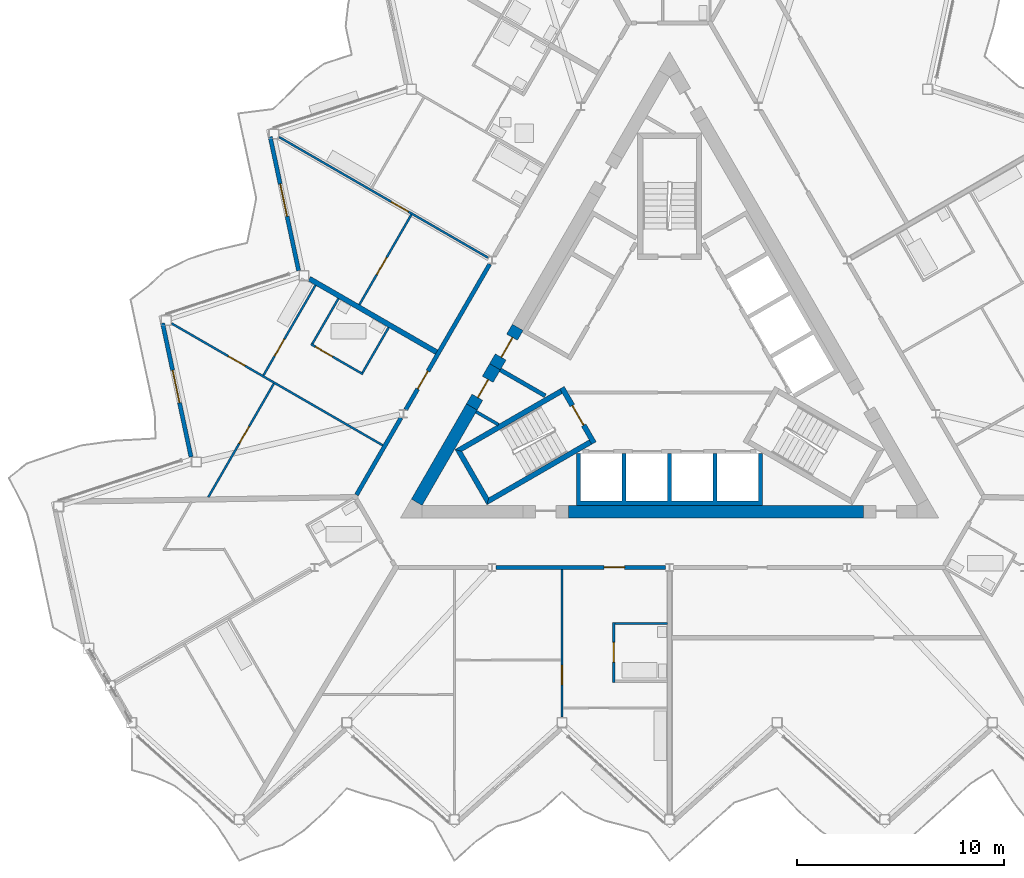
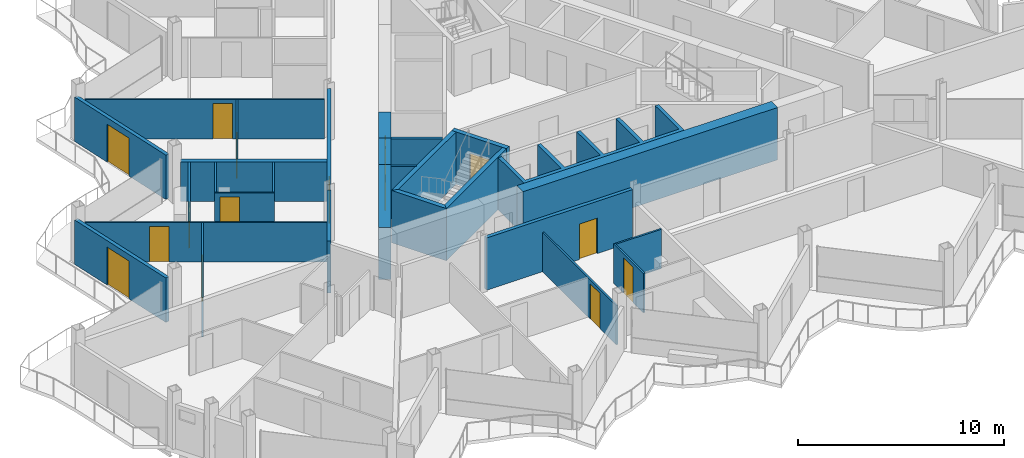
# One storey, part 13 of 26: 28 walls, 15 doors, 15 openings.
"""IFC4 building model written with IfcOpenShell, lengths in metres."""

from ifc_helpers import new_model, si_unit, direction, frame, frame_2d, origin, place, context, subcontext, project, spatial, polyline, rectangle, outline, extrude, material, layer, layer_set, type_object, element, fill, save


model = new_model("IFC4")

# Units and contexts
model_context = context("Model", 3, precision=1e-05, world=origin(), true_north=direction((0.0, 1.0)))
body_context = subcontext(model_context, "Body", "Model", "MODEL_VIEW")
ifc_project = project(units=[si_unit("LENGTHUNIT", "METRE"), si_unit("AREAUNIT", "SQUARE_METRE"), si_unit("VOLUMEUNIT", "CUBIC_METRE"), si_unit("PLANEANGLEUNIT", "RADIAN"), si_unit("MASSUNIT", "GRAM", prefix="KILO")], contexts=[model_context])

# Site, building, storey
site_placement = place(None, origin())
site = spatial("IfcSite", under=ifc_project, at=site_placement, CompositionType="ELEMENT")
building_placement = place(site_placement, origin())
building = spatial("IfcBuilding", under=site, at=building_placement, Name="Cormorant Prow Tower", CompositionType="ELEMENT")
storey_placement = place(building_placement, frame((0.0, 0.0, 388.199951171875)))
storey = spatial("IfcBuildingStorey", under=building, at=storey_placement, Name="L88", CompositionType="ELEMENT", Elevation=388.199951171875)

# Walls
ifc_material_1 = material(Name="Gypsum board partition")
ifc_layer_1 = layer(ifc_material_1, 0.14990234375)
ifc_layer_set_1 = layer_set([ifc_layer_1], Name="Gypsum board partition")
wall_type_1 = type_object("IfcWallType", Name="Core partition 150", PredefinedType="PARTITIONING", material=ifc_layer_set_1)
wall_1_placement = place(storey_placement, frame((-9.349609375, -2.3828125, 0.0), z_axis=(0.0, 0.0, 1.0), x_axis=(0.866057962423, -0.499943602543, 0.0)))
element("IfcWall", 1, at=wall_1_placement, inside=storey, type_object=wall_type_1, Name="Service room partition", PredefinedType="PARTITIONING", context=body_context, shape_type="SweptSolid", body=[
    extrude(rectangle(XDim=1.242431640625, YDim=0.14990234375, at=frame_2d((0.62109375, 0.0))), origin(), (0.0, 0.0, 1.0), 3.10009765625),
])
ifc_material_2 = material(Name="Concrete 8000 psi", Category="concrete")
ifc_layer_2 = layer(ifc_material_2, 0.60009765625)
ifc_layer_set_2 = layer_set([ifc_layer_2], Name="Concrete 8000 psi")
wall_type_2 = type_object("IfcWallType", Name="Core shear wall 600", PredefinedType="SHEAR", material=ifc_layer_set_2)
wall_2_placement = place(storey_placement, frame((-4.89208984375, -7.20556640625, 0.0), z_axis=(0.0, 0.0, 1.0), x_axis=(1.0, 0.0, 0.0)))
element("IfcWall", 2, at=wall_2_placement, inside=storey, type_object=wall_type_2, Name="Core wall", PredefinedType="SHEAR", context=body_context, shape_type="SweptSolid", body=[
    extrude(rectangle(XDim=14.2607421875, YDim=0.60009765625, at=frame_2d((7.13037109375, 0.0))), origin(), (0.0, 0.0, 1.0), 3.10009765625),
])
wall_3_placement = place(storey_placement, frame((-9.561767578125, -2.150390625, 0.0), z_axis=(0.0, 0.0, 1.0), x_axis=(-0.500015214976, -0.866016619236, 0.0)))
element("IfcWall", 3, at=wall_3_placement, inside=storey, type_object=wall_type_2, Name="Core wall", PredefinedType="SHEAR", context=body_context, shape_type="SweptSolid", body=[
    extrude(rectangle(XDim=5.317626953125, YDim=0.60009765625, at=frame_2d((2.65869140625, 0.0))), origin(), (0.0, 0.0, 1.0), 3.10009765625),
])

# Wall, opening, door
wall_4_placement = place(storey_placement, frame((-8.440185546875, -0.207763671875, 0.0), z_axis=(0.0, 0.0, 1.0), x_axis=(-0.500001951578, -0.866024277037, 0.0)))
wall_4 = element("IfcWall", 4, at=wall_4_placement, inside=storey, type_object=wall_type_2, Name="Core wall door panel", PredefinedType="SHEAR", context=body_context, shape_type="SweptSolid", body=[
    extrude(rectangle(XDim=2.2431640625, YDim=0.60009765625, at=frame_2d((1.12158203125, 0.0))), origin(), (0.0, 0.0, 1.0), 3.10009765625),
])
opening_1_placement = place(wall_4_placement, frame((0.699951171875, 0.0, 0.0)))
opening_1 = element("IfcOpeningElement", 5, at=opening_1_placement, cuts=wall_4, Name="Opening L88-C18", PredefinedType="OPENING", context=body_context, shape_type="SweptSolid", body=[
    extrude(rectangle(XDim=1.0, YDim=2.10009765625, at=frame_2d((0.5, 1.050048828125))), frame((0.0, 0.31005859375, 0.0), z_axis=(0.0, -1.0, 0.0), x_axis=(1.0, 0.0, 0.0)), (0.0, 0.0, 1.0), 0.6201171875),
])
ifc_material_3 = material(Name="Painted steel", Category="steel")
door_type_1 = type_object("IfcDoorType", Name="Service door 1000x2100", OperationType="NOTDEFINED", PredefinedType="DOOR", material=ifc_material_3)
door_1_placement = place(opening_1_placement, origin())
door_1 = element("IfcDoor", 6, at=door_1_placement, inside=storey, type_object=door_type_1, Name="Core door, Mechanical riser room", OperationType="SINGLE_SWING_LEFT", OverallHeight=2.10009765625, OverallWidth=1.0, PredefinedType="DOOR", context=body_context, shape_type="SweptSolid", body=[
    extrude(rectangle(XDim=1.0, YDim=2.10009765625, at=frame_2d((0.5, 1.050048828125))), frame((0.0, 0.05517578125, 0.0), z_axis=(0.0, -1.0, 0.0), x_axis=(1.0, 0.0, 0.0)), (0.0, 0.0, 1.0), 0.050048828125),
])
fill(opening_1, door_1)

wall_5_placement = place(storey_placement, frame((-7.340087890625, 1.697509765625, 0.0), z_axis=(0.0, 0.0, 1.0), x_axis=(-0.50002983664, -0.866008176907, 0.0)))
wall_5 = element("IfcWall", 7, at=wall_5_placement, inside=storey, type_object=wall_type_2, Name="Core wall door panel", PredefinedType="SHEAR", context=body_context, shape_type="SweptSolid", body=[
    extrude(rectangle(XDim=2.199951171875, YDim=0.60009765625, at=frame_2d((1.10009765625, 0.0))), origin(), (0.0, 0.0, 1.0), 3.10009765625),
])
opening_2_placement = place(wall_5_placement, frame((0.550048828125, 0.0, 0.0)))
opening_2 = element("IfcOpeningElement", 8, at=opening_2_placement, cuts=wall_5, Name="Opening L88-C21", PredefinedType="OPENING", context=body_context, shape_type="SweptSolid", body=[
    extrude(rectangle(XDim=1.10009765625, YDim=2.10009765625, at=frame_2d((0.550048828125, 1.050048828125))), frame((0.0, 0.31005859375, 0.0), z_axis=(0.0, -1.0, 0.0), x_axis=(1.0, 0.0, 0.0)), (0.0, 0.0, 1.0), 0.6201171875),
])
ifc_material_4 = material(Name="Painted steel", Category="steel")
door_type_2 = type_object("IfcDoorType", Name="Core door 1100x2100", OperationType="NOTDEFINED", PredefinedType="DOOR", material=ifc_material_4)
door_2_placement = place(opening_2_placement, origin())
door_2 = element("IfcDoor", 9, at=door_2_placement, inside=storey, type_object=door_type_2, Name="Core door, lift lobby", OperationType="SINGLE_SWING_RIGHT", OverallHeight=2.10009765625, OverallWidth=1.10009765625, PredefinedType="DOOR", context=body_context, shape_type="SweptSolid", body=[
    extrude(rectangle(XDim=1.10009765625, YDim=2.10009765625, at=frame_2d((0.550048828125, 1.050048828125))), frame((0.0, 0.05517578125, 0.0), z_axis=(0.0, -1.0, 0.0), x_axis=(1.0, 0.0, 0.0)), (0.0, 0.0, 1.0), 0.050048828125),
])
fill(opening_2, door_2)

ifc_material_5 = material(Name="Gypsum board corridor wall")
ifc_layer_3 = layer(ifc_material_5, 0.199951171875)
ifc_layer_set_3 = layer_set([ifc_layer_3], Name="Gypsum board corridor wall")
wall_type_3 = type_object("IfcWallType", Name="Corridor wall 200", PredefinedType="PARTITIONING", material=ifc_layer_set_3)
wall_6_placement = place(storey_placement, frame((-8.381591796875, -9.905517578125, 0.0), z_axis=(0.0, 0.0, 1.0), x_axis=(1.0, 0.0, 0.0)))
wall_6 = element("IfcWall", 10, at=wall_6_placement, inside=storey, type_object=wall_type_3, Name="Corridor wall", PredefinedType="PARTITIONING", context=body_context, shape_type="SweptSolid", body=[
    extrude(rectangle(XDim=8.1845703125, YDim=0.199951171875, at=frame_2d((4.09228515625, 0.0))), origin(), (0.0, 0.0, 1.0), 3.10009765625),
])
opening_3_placement = place(wall_6_placement, frame((5.212646484375, 0.0, 0.0)))
opening_3 = element("IfcOpeningElement", 11, at=opening_3_placement, cuts=wall_6, Name="Opening L88-F01", PredefinedType="OPENING", context=body_context, shape_type="SweptSolid", body=[
    extrude(rectangle(XDim=1.0, YDim=2.10009765625, at=frame_2d((0.5, 1.050048828125))), frame((0.0, 0.10986328125, 0.0), z_axis=(0.0, -1.0, 0.0), x_axis=(1.0, 0.0, 0.0)), (0.0, 0.0, 1.0), 0.219970703125),
])
ifc_material_6 = material(Name="Timber door leaf", Category="wood")
door_type_3 = type_object("IfcDoorType", Name="Flat or room entrance door 1000x2100", OperationType="NOTDEFINED", PredefinedType="DOOR", material=ifc_material_6)
door_3_placement = place(opening_3_placement, origin())
door_3 = element("IfcDoor", 12, at=door_3_placement, inside=storey, type_object=door_type_3, Name="Living room door", OperationType="SINGLE_SWING_LEFT", OverallHeight=2.10009765625, OverallWidth=1.0, PredefinedType="DOOR", context=body_context, shape_type="SweptSolid", body=[
    extrude(rectangle(XDim=1.0, YDim=2.10009765625, at=frame_2d((0.5, 1.050048828125))), frame((0.0, 0.02490234375, 0.0), z_axis=(0.0, -1.0, 0.0), x_axis=(1.0, 0.0, 0.0)), (0.0, 0.0, 1.0), 0.050048828125),
])
fill(opening_3, door_3)

wall_7_placement = place(storey_placement, frame((-12.75390625, -2.279296875, 0.0), z_axis=(0.0, 0.0, 1.0), x_axis=(0.500001682468, 0.866024432409, 0.0)))
wall_7 = element("IfcWall", 13, at=wall_7_placement, inside=storey, type_object=wall_type_3, Name="Corridor wall", PredefinedType="PARTITIONING", context=body_context, shape_type="SweptSolid", body=[
    extrude(rectangle(XDim=8.12353515625, YDim=0.199951171875, at=frame_2d((4.061767578125, 0.0))), origin(), (0.0, 0.0, 1.0), 3.10009765625),
])
opening_4_placement = place(wall_7_placement, frame((1.1533203125, 0.0, 0.0)))
opening_4 = element("IfcOpeningElement", 14, at=opening_4_placement, cuts=wall_7, Name="Opening L88-F41", PredefinedType="OPENING", context=body_context, shape_type="SweptSolid", body=[
    extrude(rectangle(XDim=1.0, YDim=2.10009765625, at=frame_2d((0.5, 1.050048828125))), frame((0.0, 0.10986328125, 0.0), z_axis=(0.0, -1.0, 0.0), x_axis=(1.0, 0.0, 0.0)), (0.0, 0.0, 1.0), 0.219970703125),
])
door_4_placement = place(opening_4_placement, origin())
door_4 = element("IfcDoor", 15, at=door_4_placement, inside=storey, type_object=door_type_3, Name="Living room door", OperationType="SINGLE_SWING_RIGHT", OverallHeight=2.10009765625, OverallWidth=1.0, PredefinedType="DOOR", context=body_context, shape_type="SweptSolid", body=[
    extrude(rectangle(XDim=1.0, YDim=2.10009765625, at=frame_2d((0.5, 1.050048828125))), frame((0.0, 0.02490234375, 0.0), z_axis=(0.0, -1.0, 0.0), x_axis=(1.0, 0.0, 0.0)), (0.0, 0.0, 1.0), 0.050048828125),
])
fill(opening_4, door_4)

# Wall
wall_8_placement = place(storey_placement, frame((-15.13134765625, -6.397216796875, 0.0), z_axis=(0.0, 0.0, 1.0), x_axis=(0.499986217557, 0.866033360935, 0.0)))
element("IfcWall", 16, at=wall_8_placement, inside=storey, type_object=wall_type_3, Name="Corridor wall", PredefinedType="PARTITIONING", context=body_context, shape_type="SweptSolid", body=[
    extrude(rectangle(XDim=4.2998046875, YDim=0.199951171875, at=frame_2d((2.14990234375, 0.0))), origin(), (0.0, 0.0, 1.0), 3.10009765625),
])

# Wall, opening, door
ifc_material_7 = material(Name="Gypsum board partition")
ifc_layer_4 = layer(ifc_material_7, 0.10009765625)
ifc_layer_set_4 = layer_set([ifc_layer_4], Name="Gypsum board partition")
wall_type_4 = type_object("IfcWallType", Name="Internal partition 100", PredefinedType="PARTITIONING", material=ifc_layer_set_4)
wall_9_placement = place(storey_placement, frame((-24.068603515625, 1.88720703125, 0.0), z_axis=(0.0, 0.0, 1.0), x_axis=(0.866023404247, -0.500003463284, 0.0)))
wall_9 = element("IfcWall", 17, at=wall_9_placement, inside=storey, type_object=wall_type_4, Name="Internal partition", PredefinedType="PARTITIONING", context=body_context, shape_type="SweptSolid", body=[
    extrude(rectangle(XDim=11.7822265625, YDim=0.10009765625, at=frame_2d((5.89111328125, 0.0))), origin(), (0.0, 0.0, 1.0), 2.330078125),
])
opening_5_placement = place(wall_9_placement, frame((3.158935546875, 0.0, 0.0)))
opening_5 = element("IfcOpeningElement", 18, at=opening_5_placement, cuts=wall_9, Name="Opening L88-F44", PredefinedType="OPENING", context=body_context, shape_type="SweptSolid", body=[
    extrude(rectangle(XDim=0.949951171875, YDim=2.10009765625, at=frame_2d((0.47509765625, 1.050048828125))), frame((0.0, 0.06005859375, 0.0), z_axis=(0.0, -1.0, 0.0), x_axis=(1.0, 0.0, 0.0)), (0.0, 0.0, 1.0), 0.1201171875),
])
ifc_material_8 = material(Name="Timber door leaf", Category="wood")
door_type_4 = type_object("IfcDoorType", Name="Bathroom door 950x2100", OperationType="NOTDEFINED", PredefinedType="DOOR", material=ifc_material_8)
door_5_placement = place(opening_5_placement, origin())
door_5 = element("IfcDoor", 19, at=door_5_placement, inside=storey, type_object=door_type_4, Name="Kitchen door", OperationType="SINGLE_SWING_RIGHT", OverallHeight=2.10009765625, OverallWidth=0.949951171875, PredefinedType="DOOR", context=body_context, shape_type="SweptSolid", body=[
    extrude(rectangle(XDim=0.949951171875, YDim=2.10009765625, at=frame_2d((0.47509765625, 1.050048828125))), frame((0.0, 0.02490234375, 0.0), z_axis=(0.0, -1.0, 0.0), x_axis=(1.0, 0.0, 0.0)), (0.0, 0.0, 1.0), 0.050048828125),
])
fill(opening_5, door_5)

wall_10_placement = place(storey_placement, frame((-18.86865234375, 10.893798828125, 0.0), z_axis=(0.0, 0.0, 1.0), x_axis=(0.866023724155, -0.500002909193, 0.0)))
wall_10 = element("IfcWall", 20, at=wall_10_placement, inside=storey, type_object=wall_type_4, Name="Internal partition", PredefinedType="PARTITIONING", context=body_context, shape_type="SweptSolid", body=[
    extrude(rectangle(XDim=11.65478515625, YDim=0.10009765625, at=frame_2d((5.827392578125, 0.0))), origin(), (0.0, 0.0, 1.0), 2.330078125),
])
opening_6_placement = place(wall_10_placement, frame((6.252685546875, 0.0, 0.0)))
opening_6 = element("IfcOpeningElement", 21, at=opening_6_placement, cuts=wall_10, Name="Opening L88-F38", PredefinedType="OPENING", context=body_context, shape_type="SweptSolid", body=[
    extrude(rectangle(XDim=0.949951171875, YDim=2.10009765625, at=frame_2d((0.47509765625, 1.050048828125))), frame((0.0, 0.06005859375, 0.0), z_axis=(0.0, -1.0, 0.0), x_axis=(1.0, 0.0, 0.0)), (0.0, 0.0, 1.0), 0.1201171875),
])
door_6_placement = place(opening_6_placement, origin())
door_6 = element("IfcDoor", 22, at=door_6_placement, inside=storey, type_object=door_type_4, Name="Living room door", OperationType="SINGLE_SWING_RIGHT", OverallHeight=2.10009765625, OverallWidth=0.949951171875, PredefinedType="DOOR", context=body_context, shape_type="SweptSolid", body=[
    extrude(rectangle(XDim=0.949951171875, YDim=2.10009765625, at=frame_2d((0.47509765625, 1.050048828125))), frame((0.0, 0.02490234375, 0.0), z_axis=(0.0, -1.0, 0.0), x_axis=(1.0, 0.0, 0.0)), (0.0, 0.0, 1.0), 0.050048828125),
])
fill(opening_6, door_6)

wall_11_placement = place(storey_placement, frame((-5.199951171875, -17.145751953125, 0.0), z_axis=(0.0, 0.0, 1.0), x_axis=(0.0, 1.0, 0.0)))
wall_11 = element("IfcWall", 23, at=wall_11_placement, inside=storey, type_object=wall_type_4, Name="Internal partition", PredefinedType="PARTITIONING", context=body_context, shape_type="SweptSolid", body=[
    extrude(rectangle(XDim=7.14013671875, YDim=0.10009765625, at=frame_2d((3.570068359375, 0.0))), origin(), (0.0, 0.0, 1.0), 2.330078125),
])
opening_7_placement = place(wall_11_placement, frame((1.571044921875, 0.0, 0.0)))
opening_7 = element("IfcOpeningElement", 24, at=opening_7_placement, cuts=wall_11, Name="Opening L88-F04", PredefinedType="OPENING", context=body_context, shape_type="SweptSolid", body=[
    extrude(rectangle(XDim=0.949951171875, YDim=2.10009765625, at=frame_2d((0.47509765625, 1.050048828125))), frame((0.0, 0.06005859375, 0.0), z_axis=(0.0, -1.0, 0.0), x_axis=(1.0, 0.0, 0.0)), (0.0, 0.0, 1.0), 0.1201171875),
])
door_7_placement = place(opening_7_placement, origin())
door_7 = element("IfcDoor", 25, at=door_7_placement, inside=storey, type_object=door_type_4, Name="Living room door", OperationType="SINGLE_SWING_RIGHT", OverallHeight=2.10009765625, OverallWidth=0.949951171875, PredefinedType="DOOR", context=body_context, shape_type="SweptSolid", body=[
    extrude(rectangle(XDim=0.949951171875, YDim=2.10009765625, at=frame_2d((0.47509765625, 1.050048828125))), frame((0.0, 0.02490234375, 0.0), z_axis=(0.0, -1.0, 0.0), x_axis=(1.0, 0.0, 0.0)), (0.0, 0.0, 1.0), 0.050048828125),
])
fill(opening_7, door_7)

wall_12_placement = place(storey_placement, frame((-22.2978515625, -6.512451171875, 0.0), z_axis=(0.0, 0.0, 1.0), x_axis=(0.499991387631, 0.866030376081, 0.0)))
wall_12 = element("IfcWall", 26, at=wall_12_placement, inside=storey, type_object=wall_type_4, Name="Internal partition", PredefinedType="PARTITIONING", context=body_context, shape_type="SweptSolid", body=[
    extrude(rectangle(XDim=6.3388671875, YDim=0.10009765625, at=frame_2d((3.16943359375, 0.0))), origin(), (0.0, 0.0, 1.0), 2.330078125),
])
opening_8_placement = place(wall_12_placement, frame((3.0, 0.0, 0.0)))
opening_8 = element("IfcOpeningElement", 27, at=opening_8_placement, cuts=wall_12, Name="Opening L88-F45", PredefinedType="OPENING", context=body_context, shape_type="SweptSolid", body=[
    extrude(rectangle(XDim=0.949951171875, YDim=2.10009765625, at=frame_2d((0.47509765625, 1.050048828125))), frame((0.0, 0.06005859375, 0.0), z_axis=(0.0, -1.0, 0.0), x_axis=(1.0, 0.0, 0.0)), (0.0, 0.0, 1.0), 0.1201171875),
])
door_8_placement = place(opening_8_placement, origin())
door_8 = element("IfcDoor", 28, at=door_8_placement, inside=storey, type_object=door_type_4, Name="Bedroom door", OperationType="SINGLE_SWING_RIGHT", OverallHeight=2.10009765625, OverallWidth=0.949951171875, PredefinedType="DOOR", context=body_context, shape_type="SweptSolid", body=[
    extrude(rectangle(XDim=0.949951171875, YDim=2.10009765625, at=frame_2d((0.47509765625, 1.050048828125))), frame((0.0, 0.02490234375, 0.0), z_axis=(0.0, -1.0, 0.0), x_axis=(1.0, 0.0, 0.0)), (0.0, 0.0, 1.0), 0.050048828125),
])
fill(opening_8, door_8)

wall_13_placement = place(storey_placement, frame((-19.628173828125, -0.618896484375, 0.0), z_axis=(0.0, 0.0, 1.0), x_axis=(0.499990214365, 0.86603105345, 0.0)))
wall_13 = element("IfcWall", 29, at=wall_13_placement, inside=storey, type_object=wall_type_4, Name="Internal partition", PredefinedType="PARTITIONING", context=body_context, shape_type="SweptSolid", body=[
    extrude(rectangle(XDim=5.02490234375, YDim=0.10009765625, at=frame_2d((2.512451171875, 0.0))), origin(), (0.0, 0.0, 1.0), 2.330078125),
])
opening_9_placement = place(wall_13_placement, frame((1.067138671875, 0.0, 0.0)))
opening_9 = element("IfcOpeningElement", 30, at=opening_9_placement, cuts=wall_13, Name="Opening L88-F43", PredefinedType="OPENING", context=body_context, shape_type="SweptSolid", body=[
    extrude(rectangle(XDim=0.949951171875, YDim=2.10009765625, at=frame_2d((0.47509765625, 1.050048828125))), frame((0.0, 0.06005859375, 0.0), z_axis=(0.0, -1.0, 0.0), x_axis=(1.0, 0.0, 0.0)), (0.0, 0.0, 1.0), 0.1201171875),
])
door_9_placement = place(opening_9_placement, origin())
door_9 = element("IfcDoor", 31, at=door_9_placement, inside=storey, type_object=door_type_4, Name="Living room door", OperationType="SINGLE_SWING_LEFT", OverallHeight=2.10009765625, OverallWidth=0.949951171875, PredefinedType="DOOR", context=body_context, shape_type="SweptSolid", body=[
    extrude(rectangle(XDim=0.949951171875, YDim=2.10009765625, at=frame_2d((0.47509765625, 1.050048828125))), frame((0.0, 0.02490234375, 0.0), z_axis=(0.0, -1.0, 0.0), x_axis=(1.0, 0.0, 0.0)), (0.0, 0.0, 1.0), 0.050048828125),
])
fill(opening_9, door_9)

wall_14_placement = place(storey_placement, frame((-14.9921875, 2.795654296875, 0.0), z_axis=(0.0, 0.0, 1.0), x_axis=(0.499990214365, 0.86603105345, 0.0)))
wall_14 = element("IfcWall", 32, at=wall_14_placement, inside=storey, type_object=wall_type_4, Name="Internal partition", PredefinedType="PARTITIONING", context=body_context, shape_type="SweptSolid", body=[
    extrude(rectangle(XDim=5.02490234375, YDim=0.10009765625, at=frame_2d((2.512451171875, 0.0))), origin(), (0.0, 0.0, 1.0), 2.330078125),
])
opening_10_placement = place(wall_14_placement, frame((1.679931640625, 0.0, 0.0)))
opening_10 = element("IfcOpeningElement", 33, at=opening_10_placement, cuts=wall_14, Name="Opening L88-F39", PredefinedType="OPENING", context=body_context, shape_type="SweptSolid", body=[
    extrude(rectangle(XDim=0.949951171875, YDim=2.10009765625, at=frame_2d((0.47509765625, 1.050048828125))), frame((0.0, 0.06005859375, 0.0), z_axis=(0.0, -1.0, 0.0), x_axis=(1.0, 0.0, 0.0)), (0.0, 0.0, 1.0), 0.1201171875),
])
door_10_placement = place(opening_10_placement, origin())
door_10 = element("IfcDoor", 34, at=door_10_placement, inside=storey, type_object=door_type_4, Name="Bedroom door", OperationType="SINGLE_SWING_RIGHT", OverallHeight=2.10009765625, OverallWidth=0.949951171875, PredefinedType="DOOR", context=body_context, shape_type="SweptSolid", body=[
    extrude(rectangle(XDim=0.949951171875, YDim=2.10009765625, at=frame_2d((0.47509765625, 1.050048828125))), frame((0.0, 0.02490234375, 0.0), z_axis=(0.0, -1.0, 0.0), x_axis=(1.0, 0.0, 0.0)), (0.0, 0.0, 1.0), 0.050048828125),
])
fill(opening_10, door_10)

wall_15_placement = place(storey_placement, frame((-17.3349609375, 0.88623046875, 0.0), z_axis=(0.0, 0.0, 1.0), x_axis=(0.866032775405, -0.499987231761, 0.0)))
wall_15 = element("IfcWall", 35, at=wall_15_placement, inside=storey, type_object=wall_type_4, Name="Internal partition", PredefinedType="PARTITIONING", context=body_context, shape_type="SweptSolid", body=[
    extrude(rectangle(XDim=2.89990234375, YDim=0.10009765625, at=frame_2d((1.449951171875, 0.0))), origin(), (0.0, 0.0, 1.0), 2.330078125),
])
opening_11_placement = place(wall_15_placement, frame((0.25, 0.0, 0.0)))
opening_11 = element("IfcOpeningElement", 36, at=opening_11_placement, cuts=wall_15, Name="Opening L88-F42", PredefinedType="OPENING", context=body_context, shape_type="SweptSolid", body=[
    extrude(rectangle(XDim=0.949951171875, YDim=2.10009765625, at=frame_2d((0.47509765625, 1.050048828125))), frame((0.0, 0.06005859375, 0.0), z_axis=(0.0, -1.0, 0.0), x_axis=(1.0, 0.0, 0.0)), (0.0, 0.0, 1.0), 0.1201171875),
])
door_11_placement = place(opening_11_placement, origin())
door_11 = element("IfcDoor", 37, at=door_11_placement, inside=storey, type_object=door_type_4, Name="Living room door", OperationType="SINGLE_SWING_LEFT", OverallHeight=2.10009765625, OverallWidth=0.949951171875, PredefinedType="DOOR", context=body_context, shape_type="SweptSolid", body=[
    extrude(rectangle(XDim=0.949951171875, YDim=2.10009765625, at=frame_2d((0.47509765625, 1.050048828125))), frame((0.0, 0.02490234375, 0.0), z_axis=(0.0, -1.0, 0.0), x_axis=(1.0, 0.0, 0.0)), (0.0, 0.0, 1.0), 0.050048828125),
])
fill(opening_11, door_11)

wall_16_placement = place(storey_placement, frame((-2.699951171875, -15.45556640625, 0.0), z_axis=(0.0, 0.0, 1.0), x_axis=(0.0, 1.0, 0.0)))
wall_16 = element("IfcWall", 38, at=wall_16_placement, inside=storey, type_object=wall_type_4, Name="Internal partition", PredefinedType="PARTITIONING", context=body_context, shape_type="SweptSolid", body=[
    extrude(rectangle(XDim=2.89990234375, YDim=0.10009765625, at=frame_2d((1.449951171875, 0.0))), origin(), (0.0, 0.0, 1.0), 2.330078125),
])
opening_12_placement = place(wall_16_placement, frame((0.97509765625, 0.0, 0.0)))
opening_12 = element("IfcOpeningElement", 39, at=opening_12_placement, cuts=wall_16, Name="Opening L88-F02", PredefinedType="OPENING", context=body_context, shape_type="SweptSolid", body=[
    extrude(rectangle(XDim=0.949951171875, YDim=2.10009765625, at=frame_2d((0.47509765625, 1.050048828125))), frame((0.0, 0.06005859375, 0.0), z_axis=(0.0, -1.0, 0.0), x_axis=(1.0, 0.0, 0.0)), (0.0, 0.0, 1.0), 0.1201171875),
])
door_12_placement = place(opening_12_placement, origin())
door_12 = element("IfcDoor", 40, at=door_12_placement, inside=storey, type_object=door_type_4, Name="Living room door", OperationType="SINGLE_SWING_LEFT", OverallHeight=2.10009765625, OverallWidth=0.949951171875, PredefinedType="DOOR", context=body_context, shape_type="SweptSolid", body=[
    extrude(rectangle(XDim=0.949951171875, YDim=2.10009765625, at=frame_2d((0.47509765625, 1.050048828125))), frame((0.0, 0.02490234375, 0.0), z_axis=(0.0, -1.0, 0.0), x_axis=(1.0, 0.0, 0.0)), (0.0, 0.0, 1.0), 0.050048828125),
])
fill(opening_12, door_12)

# Walls
wall_17_placement = place(storey_placement, frame((-2.64990234375, -12.605712890625, 0.0), z_axis=(0.0, 0.0, 1.0), x_axis=(1.0, 0.0, 0.0)))
element("IfcWall", 41, at=wall_17_placement, inside=storey, type_object=wall_type_4, Name="Internal partition", PredefinedType="PARTITIONING", context=body_context, shape_type="SweptSolid", body=[
    extrude(rectangle(XDim=2.5498046875, YDim=0.10009765625, at=frame_2d((1.27490234375, 0.0))), origin(), (0.0, 0.0, 1.0), 2.330078125),
])
wall_18_placement = place(storey_placement, frame((-17.2666015625, 0.904541015625, 0.0), z_axis=(0.0, 0.0, 1.0), x_axis=(0.499976333282, 0.866039067339, 0.0)))
element("IfcWall", 42, at=wall_18_placement, inside=storey, type_object=wall_type_4, Name="Internal partition", PredefinedType="PARTITIONING", context=body_context, shape_type="SweptSolid", body=[
    extrude(rectangle(XDim=2.52490234375, YDim=0.10009765625, at=frame_2d((1.262451171875, 0.0))), origin(), (0.0, 0.0, 1.0), 2.330078125),
])
wall_19_placement = place(storey_placement, frame((-14.841796875, -0.49560546875, 0.0), z_axis=(0.0, 0.0, 1.0), x_axis=(0.500048846702, 0.865997200291, 0.0)))
element("IfcWall", 43, at=wall_19_placement, inside=storey, type_object=wall_type_4, Name="Internal partition", PredefinedType="PARTITIONING", context=body_context, shape_type="SweptSolid", body=[
    extrude(rectangle(XDim=2.525146484375, YDim=0.10009765625, at=frame_2d((1.2626953125, 0.0))), origin(), (0.0, 0.0, 1.0), 2.330078125),
])
ifc_material_9 = material(Name="Concrete 8000 psi", Category="concrete")
ifc_layer_5 = layer(ifc_material_9, 0.199951171875)
ifc_layer_set_5 = layer_set([ifc_layer_5], Name="Concrete 8000 psi")
wall_type_5 = type_object("IfcWallType", Name="Lift shaft wall 200", PredefinedType="SHEAR", material=ifc_layer_set_5)
wall_20_placement = place(storey_placement, origin())
element("IfcWall", 44, at=wall_20_placement, inside=storey, type_object=wall_type_5, Name="Lift shaft walls, S block", PredefinedType="SHEAR", context=body_context, shape_type="SweptSolid", body=[
    extrude(outline(polyline([(4.5, -4.39990234375), (4.5, -6.906005859375), (-4.5, -6.906005859375), (-4.5, -4.39990234375), (-4.300048828125, -4.39990234375), (-4.300048828125, -6.699951171875), (-2.300048828125, -6.699951171875), (-2.300048828125, -4.39990234375), (-2.10009765625, -4.39990234375), (-2.10009765625, -6.699951171875), (-0.10009765625, -6.699951171875), (-0.10009765625, -4.39990234375), (0.10009765625, -4.39990234375), (0.10009765625, -6.699951171875), (2.10009765625, -6.699951171875), (2.10009765625, -4.39990234375), (2.300048828125, -4.39990234375), (2.300048828125, -6.699951171875), (4.300048828125, -6.699951171875), (4.300048828125, -4.39990234375), (4.5, -4.39990234375)])), origin(), (0.0, 0.0, 1.0), 3.10009765625),
])
wall_21_placement = place(storey_placement, origin())
element("IfcWall", 45, at=wall_21_placement, inside=storey, type_object=wall_type_5, Name="Lift shaft walls, WNW block", PredefinedType="SHEAR", context=body_context, shape_type="SweptSolid", body=[
    extrude(outline(polyline([(-6.060546875, -1.697021484375), (-8.230712890625, -0.444091796875), (-8.130859375, -0.27099609375), (-5.96044921875, -1.52392578125), (-6.060546875, -1.697021484375)])), origin(), (0.0, 0.0, 1.0), 3.10009765625),
])
ifc_material_10 = material(Name="Concrete 8000 psi", Category="concrete")
ifc_layer_6 = layer(ifc_material_10, 0.25)
ifc_layer_set_6 = layer_set([ifc_layer_6], Name="Concrete 8000 psi")
wall_type_6 = type_object("IfcWallType", Name="Stair wall 250", PredefinedType="SHEAR", material=ifc_layer_set_6)
wall_22_placement = place(storey_placement, origin())
element("IfcWall", 46, at=wall_22_placement, inside=storey, type_object=wall_type_6, Name="Stair ST1 enclosure wall (flank)", PredefinedType="SHEAR", context=body_context, shape_type="SweptSolid", body=[
    extrude(outline(polyline([(-5.30712890625, -1.28125), (-10.37353515625, -4.206298828125), (-10.031982421875, -4.2978515625), (-5.18212890625, -1.497802734375), (-5.30712890625, -1.28125)])), origin(), (0.0, 0.0, 1.0), 3.10009765625),
])
wall_23_placement = place(storey_placement, origin())
element("IfcWall", 47, at=wall_23_placement, inside=storey, type_object=wall_type_6, Name="Stair ST1 enclosure wall (end)", PredefinedType="SHEAR", context=body_context, shape_type="SweptSolid", body=[
    extrude(outline(polyline([(-10.37353515625, -4.206298828125), (-8.82958984375, -6.880615234375), (-8.738037109375, -6.5390625), (-10.031982421875, -4.2978515625), (-10.37353515625, -4.206298828125)])), origin(), (0.0, 0.0, 1.0), 3.10009765625),
])
wall_24_placement = place(storey_placement, origin())
element("IfcWall", 48, at=wall_24_placement, inside=storey, type_object=wall_type_6, Name="Stair ST1 enclosure wall (flank)", PredefinedType="SHEAR", context=body_context, shape_type="SweptSolid", body=[
    extrude(outline(polyline([(-8.738037109375, -6.5390625), (-8.82958984375, -6.880615234375), (-3.76318359375, -3.95556640625), (-3.88818359375, -3.739013671875), (-8.738037109375, -6.5390625)])), origin(), (0.0, 0.0, 1.0), 3.10009765625),
])

# Wall, opening, door
wall_25_placement = place(storey_placement, frame((-5.198974609375, -1.21875, 0.0), z_axis=(0.0, 0.0, 1.0), x_axis=(0.499982516597, -0.866035497597, 0.0)))
wall_25 = element("IfcWall", 49, at=wall_25_placement, inside=storey, type_object=wall_type_6, Name="Stair ST1 door wall", PredefinedType="SHEAR", context=body_context, shape_type="SweptSolid", body=[
    extrude(rectangle(XDim=3.087890625, YDim=0.25, at=frame_2d((1.5439453125, 0.0))), origin(), (0.0, 0.0, 1.0), 3.10009765625),
])
opening_13_placement = place(wall_25_placement, frame((0.993896484375, 0.0, 0.0)))
opening_13 = element("IfcOpeningElement", 50, at=opening_13_placement, cuts=wall_25, Name="Opening L88-C12", PredefinedType="OPENING", context=body_context, shape_type="SweptSolid", body=[
    extrude(rectangle(XDim=1.10009765625, YDim=2.10009765625, at=frame_2d((0.550048828125, 1.050048828125))), frame((0.0, 0.135009765625, 0.0), z_axis=(0.0, -1.0, 0.0), x_axis=(1.0, 0.0, 0.0)), (0.0, 0.0, 1.0), 0.27001953125),
])
ifc_material_11 = material(Name="Painted steel", Category="steel")
door_type_5 = type_object("IfcDoorType", Name="Stair door 1100x2100", OperationType="NOTDEFINED", PredefinedType="DOOR", material=ifc_material_11)
door_13_placement = place(opening_13_placement, origin())
door_13 = element("IfcDoor", 51, at=door_13_placement, inside=storey, type_object=door_type_5, Name="Stair ST1 door", OperationType="SINGLE_SWING_LEFT", OverallHeight=2.10009765625, OverallWidth=1.10009765625, PredefinedType="DOOR", context=body_context, shape_type="SweptSolid", body=[
    extrude(rectangle(XDim=1.10009765625, YDim=2.10009765625, at=frame_2d((0.550048828125, 1.050048828125))), frame((0.0, 0.02490234375, 0.0), z_axis=(0.0, -1.0, 0.0), x_axis=(1.0, 0.0, 0.0)), (0.0, 0.0, 1.0), 0.050048828125),
])
fill(opening_13, door_13)

# Wall
ifc_material_12 = material(Name="Acoustic gypsum party wall")
ifc_layer_7 = layer(ifc_material_12, 0.25)
ifc_layer_set_7 = layer_set([ifc_layer_7], Name="Acoustic gypsum party wall")
wall_type_7 = type_object("IfcWallType", Name="Suite party wall 250", PredefinedType="PARTITIONING", material=ifc_layer_set_7)
wall_26_placement = place(storey_placement, frame((-17.413818359375, 4.04931640625, 0.0), z_axis=(0.0, 0.0, 1.0), x_axis=(0.866033839264, -0.499985389037, 0.0)))
element("IfcWall", 52, at=wall_26_placement, inside=storey, type_object=wall_type_7, Name="Suite party wall", PredefinedType="PARTITIONING", context=body_context, shape_type="SweptSolid", body=[
    extrude(rectangle(XDim=7.099853515625, YDim=0.25, at=frame_2d((3.5498046875, 0.0))), origin(), (0.0, 0.0, 1.0), 2.330078125),
])

# Wall, opening, door
ifc_material_13 = material(Name="Terracotta", Category="masonry")
ifc_layer_8 = layer(ifc_material_13, 0.199951171875)
ifc_layer_set_8 = layer_set([ifc_layer_8], Name="Terracotta")
wall_type_8 = type_object("IfcWallType", Name="Terracotta jamb wall 200", PredefinedType="SOLIDWALL", material=ifc_layer_set_8)
wall_27_placement = place(storey_placement, frame((-19.304443359375, 10.90869140625, 0.0), z_axis=(0.0, 0.0, 1.0), x_axis=(0.207882161022, -0.97815387702, 0.0)))
wall_27 = element("IfcWall", 53, at=wall_27_placement, inside=storey, type_object=wall_type_8, Name="Terracotta jamb wall WNW05", PredefinedType="SOLIDWALL", context=body_context, shape_type="SweptSolid", body=[
    extrude(rectangle(XDim=6.612060546875, YDim=0.199951171875, at=frame_2d((3.30615234375, 0.0))), origin(), (0.0, 0.0, 1.0), 2.634033203125),
])
opening_14_placement = place(wall_27_placement, frame((2.332763671875, 0.0, 0.0)))
opening_14 = element("IfcOpeningElement", 54, at=opening_14_placement, cuts=wall_27, Name="Opening ED88.13", PredefinedType="OPENING", context=body_context, shape_type="SweptSolid", body=[
    extrude(rectangle(XDim=1.60009765625, YDim=2.25, at=frame_2d((0.800048828125, 1.125))), frame((0.0, 0.10986328125, 0.0), z_axis=(0.0, -1.0, 0.0), x_axis=(1.0, 0.0, 0.0)), (0.0, 0.0, 1.0), 0.219970703125),
])
ifc_material_14 = material(Name="Aluminium 6063-T6", Category="aluminium")
door_type_6 = type_object("IfcDoorType", Name="Balcony door 1600x2250", OperationType="DOUBLE_DOOR_SINGLE_SWING", PredefinedType="DOOR", material=ifc_material_14)
door_14_placement = place(opening_14_placement, origin())
door_14 = element("IfcDoor", 55, at=door_14_placement, inside=storey, type_object=door_type_6, Name="Balcony door WNW05 ED88.13", OperationType="DOUBLE_DOOR_SINGLE_SWING", OverallHeight=2.25, OverallWidth=1.60009765625, PredefinedType="DOOR", context=body_context, shape_type="SweptSolid", body=[
    extrude(rectangle(XDim=1.60009765625, YDim=2.25, at=frame_2d((0.800048828125, 1.125))), frame((0.0, 0.02490234375, 0.0), z_axis=(0.0, -1.0, 0.0), x_axis=(1.0, 0.0, 0.0)), (0.0, 0.0, 1.0), 0.050048828125),
])
fill(opening_14, door_14)

wall_28_placement = place(storey_placement, frame((-24.504638671875, 1.902099609375, 0.0), z_axis=(0.0, 0.0, 1.0), x_axis=(0.207917488951, -0.978146368285, 0.0)))
wall_28 = element("IfcWall", 56, at=wall_28_placement, inside=storey, type_object=wall_type_8, Name="Terracotta jamb wall WNW07", PredefinedType="SOLIDWALL", context=body_context, shape_type="SweptSolid", body=[
    extrude(rectangle(XDim=6.612060546875, YDim=0.199951171875, at=frame_2d((3.30615234375, 0.0))), origin(), (0.0, 0.0, 1.0), 2.634033203125),
])
opening_15_placement = place(wall_28_placement, frame((2.332763671875, 0.0, 0.0)))
opening_15 = element("IfcOpeningElement", 57, at=opening_15_placement, cuts=wall_28, Name="Opening ED88.14", PredefinedType="OPENING", context=body_context, shape_type="SweptSolid", body=[
    extrude(rectangle(XDim=1.60009765625, YDim=2.25, at=frame_2d((0.800048828125, 1.125))), frame((0.0, 0.10986328125, 0.0), z_axis=(0.0, -1.0, 0.0), x_axis=(1.0, 0.0, 0.0)), (0.0, 0.0, 1.0), 0.219970703125),
])
door_15_placement = place(opening_15_placement, origin())
door_15 = element("IfcDoor", 58, at=door_15_placement, inside=storey, type_object=door_type_6, Name="Balcony door WNW07 ED88.14", OperationType="DOUBLE_DOOR_SINGLE_SWING", OverallHeight=2.25, OverallWidth=1.60009765625, PredefinedType="DOOR", context=body_context, shape_type="SweptSolid", body=[
    extrude(rectangle(XDim=1.60009765625, YDim=2.25, at=frame_2d((0.800048828125, 1.125))), frame((0.0, 0.02490234375, 0.0), z_axis=(0.0, -1.0, 0.0), x_axis=(1.0, 0.0, 0.0)), (0.0, 0.0, 1.0), 0.050048828125),
])
fill(opening_15, door_15)

save(model, "model.ifc")
